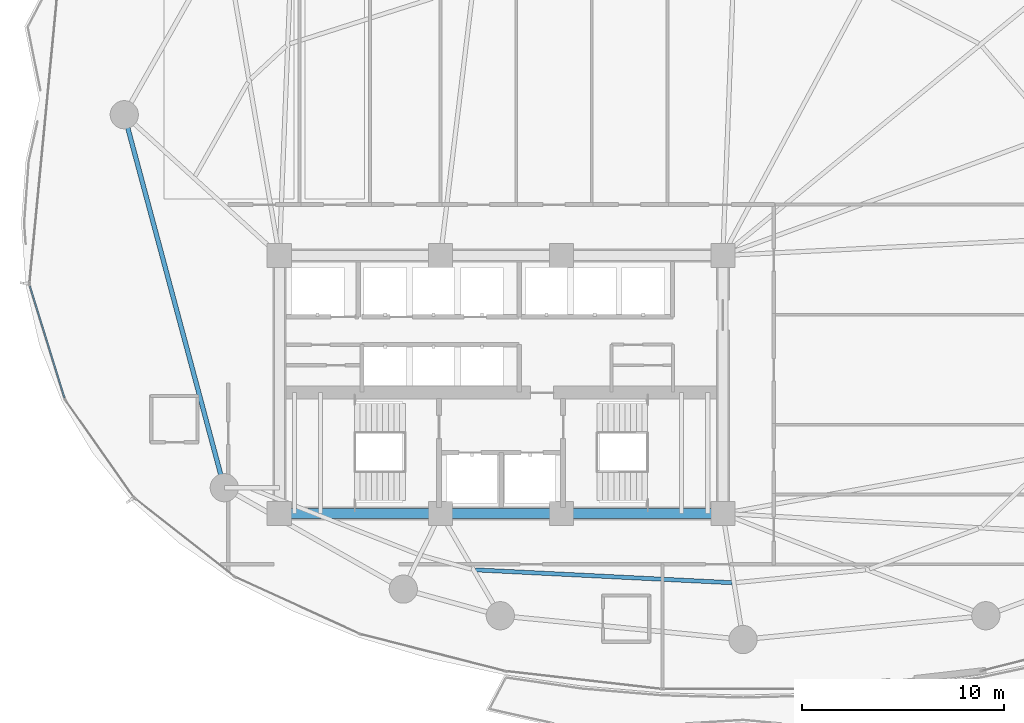
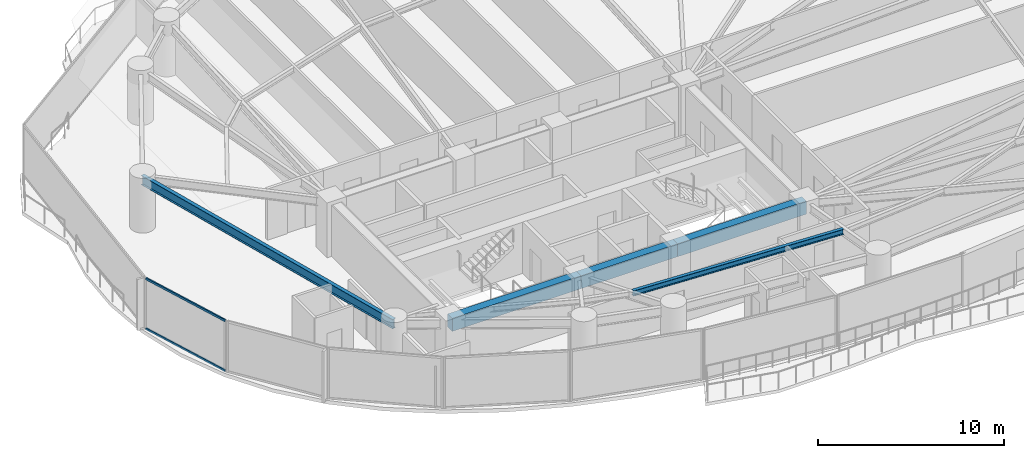
# One storey, part 7 of 31: 5 beams, 2 members, 1 element without a shape of its own.
"""IFC4 building model written with IfcOpenShell, lengths in metres."""

from ifc_helpers import new_model, si_unit, direction, frame, origin, origin_2d, place, context, subcontext, project, spatial, rectangle, hollow_rectangle, i_section, extrude, material, layer, layer_set, material_profile, profile_set, type_object, element, aggregate, save


model = new_model("IFC4")

# Units and contexts
model_context = context("Model", 3, precision=1e-05, world=origin(), true_north=direction((0.0, 1.0)))
body_context = subcontext(model_context, "Body", "Model", "MODEL_VIEW")
ifc_project = project(units=[si_unit("LENGTHUNIT", "METRE"), si_unit("AREAUNIT", "SQUARE_METRE"), si_unit("VOLUMEUNIT", "CUBIC_METRE"), si_unit("PLANEANGLEUNIT", "RADIAN"), si_unit("MASSUNIT", "GRAM", prefix="KILO")], contexts=[model_context])

# Site, building, storey
site_placement = place(None, origin())
site = spatial("IfcSite", under=ifc_project, at=site_placement, CompositionType="ELEMENT")
building_placement = place(site_placement, origin())
building = spatial("IfcBuilding", under=site, at=building_placement, Name="Kazevale Care Tower and Concert Hall", CompositionType="ELEMENT")
storey_placement = place(building_placement, frame((0.0, 0.0, 63.60009765625)))
storey = spatial("IfcBuildingStorey", under=building, at=storey_placement, Name="L16", CompositionType="ELEMENT", Elevation=63.60009765625)

# Curtain wall, members
ifc_material_1 = material(Name="Aluminium 6063-T6 and Low-E Glass", Category="aluminium")
ifc_layer = layer(ifc_material_1, 0.179931640625)
ifc_layer_set = layer_set([ifc_layer], Name="Aluminium 6063-T6 and Low-E Glass")
curtain_wall_type = type_object("IfcCurtainWallType", Name="Waist & Upper Residential Curtain Wall CW-4", PredefinedType="NOTDEFINED", material=ifc_layer_set)
curtain_wall_placement = place(storey_placement, origin())
curtain_wall = element("IfcCurtainWall", 1, at=curtain_wall_placement, inside=storey, type_object=curtain_wall_type, Name="cw:L16:f12", PredefinedType="NOTDEFINED")
ifc_material_2 = material(Name="Aluminium 6063-T6", Category="aluminium")
ifc_material_profile_1 = material_profile(ifc_material_2, hollow_rectangle(XDim=0.080078125, YDim=0.139892578125, WallThickness=0.00390625, at=origin_2d()), Name="ALU80x140x4")
ifc_profile_set_1 = profile_set([ifc_material_profile_1], Name="Aluminium 6063-T6")
member_type = type_object("IfcMemberType", Name="CW-4 Transom ALU80x140x4", PredefinedType="USERDEFINED", material=ifc_profile_set_1)
member_1_placement = place(storey_placement, frame((11.347412109375, 29.33447265625, 0.039794921875), z_axis=(-0.296117563823, 0.955151500232, 0.0), x_axis=(-0.955151500232, -0.296117563823, 0.0)))
member_1 = element("IfcMember", 2, at=member_1_placement, type_object=member_type, Name="CW-4 transom 1.1", ObjectType="TRANSOM", PredefinedType="USERDEFINED", context=body_context, shape_type="SweptSolid", body=[
    extrude(hollow_rectangle(XDim=0.080078125, YDim=0.139892578125, WallThickness=0.00390625, at=origin_2d()), origin(), (0.0, 0.0, 1.0), 5.8076171875),
])
member_2_placement = place(storey_placement, frame((11.347412109375, 29.33447265625, 3.31982421875), z_axis=(-0.296117563823, 0.955151500232, 0.0), x_axis=(-0.955151500232, -0.296117563823, 0.0)))
member_2 = element("IfcMember", 3, at=member_2_placement, type_object=member_type, Name="CW-4 transom 1.2", ObjectType="TRANSOM", PredefinedType="USERDEFINED", context=body_context, shape_type="SweptSolid", body=[
    extrude(hollow_rectangle(XDim=0.080078125, YDim=0.139892578125, WallThickness=0.00390625, at=origin_2d()), origin(), (0.0, 0.0, 1.0), 5.8076171875),
])
aggregate(curtain_wall, [member_1, member_2])

# Beams
ifc_material_3 = material(Name="Concrete C60", Category="concrete")
ifc_material_profile_2 = material_profile(ifc_material_3, rectangle(XDim=0.5, YDim=0.85009765625, at=origin_2d()), Name="RC-B500x850")
ifc_profile_set_2 = profile_set([ifc_material_profile_2], Name="Concrete C60")
beam_type_1 = type_object("IfcBeamType", Name="Core Coupling Beam RC500x850", PredefinedType="LINTEL", material=ifc_profile_set_2)
beam_1_placement = place(storey_placement, frame((22.0, 23.60009765625, 2.934814453125), z_axis=(1.0, 0.0, 0.0), x_axis=(0.0, 1.0, 0.0)))
element("IfcBeam", 4, at=beam_1_placement, inside=storey, type_object=beam_type_1, Name="beam:L16:coretie:1", PredefinedType="LINTEL", context=body_context, shape_type="SweptSolid", body=[
    extrude(rectangle(XDim=0.5, YDim=0.85009765625, at=origin_2d()), origin(), (0.0, 0.0, 1.0), 8.0),
])
beam_2_placement = place(storey_placement, frame((30.0, 23.60009765625, 2.934814453125), z_axis=(1.0, 0.0, 0.0), x_axis=(0.0, 1.0, 0.0)))
element("IfcBeam", 5, at=beam_2_placement, inside=storey, type_object=beam_type_1, Name="beam:L16:coretie:2", PredefinedType="LINTEL", context=body_context, shape_type="SweptSolid", body=[
    extrude(rectangle(XDim=0.5, YDim=0.85009765625, at=origin_2d()), origin(), (0.0, 0.0, 1.0), 6.0),
])
beam_3_placement = place(storey_placement, frame((36.0, 23.60009765625, 2.934814453125), z_axis=(1.0, 0.0, 0.0), x_axis=(0.0, 1.0, 0.0)))
element("IfcBeam", 6, at=beam_3_placement, inside=storey, type_object=beam_type_1, Name="beam:L16:coretie:3", PredefinedType="LINTEL", context=body_context, shape_type="SweptSolid", body=[
    extrude(rectangle(XDim=0.5, YDim=0.85009765625, at=origin_2d()), origin(), (0.0, 0.0, 1.0), 8.0),
])
ifc_material_4 = material(Name="Steel ASTM A572 Gr 50", Category="steel")
ifc_material_profile_3 = material_profile(ifc_material_4, i_section(OverallWidth=0.22900390625, OverallDepth=0.612060546875, WebThickness=0.011962890625, FlangeThickness=0.01953125, at=origin_2d()), Name="W610x125")
ifc_profile_set_3 = profile_set([ifc_material_profile_3], Name="Steel ASTM A572 Gr 50")
beam_type_2 = type_object("IfcBeamType", Name="Ring Spandrel Beam W610x125", PredefinedType="SPANDREL", material=ifc_profile_set_3)
beam_4_placement = place(storey_placement, frame((14.31005859375, 43.3798828125, 3.053955078125), z_axis=(0.258960352031, -0.965887952133, 0.0), x_axis=(0.965887952133, 0.258960352031, 0.0)))
element("IfcBeam", 7, at=beam_4_placement, inside=storey, type_object=beam_type_2, Name="beam:L16:ring:09", PredefinedType="SPANDREL", context=body_context, shape_type="SweptSolid", body=[
    extrude(i_section(OverallWidth=0.22900390625, OverallDepth=0.612060546875, WebThickness=0.011962890625, FlangeThickness=0.01953125, at=origin_2d()), origin(), (0.0, 0.0, 1.0), 19.1533203125),
])
ifc_material_profile_4 = material_profile(ifc_material_4, i_section(OverallWidth=0.205078125, OverallDepth=0.35400390625, WebThickness=0.009521484375, FlangeThickness=0.016845703125, at=origin_2d()), Name="W360x79")
ifc_profile_set_4 = profile_set([ifc_material_profile_4], Name="Steel ASTM A572 Gr 50")
beam_type_3 = type_object("IfcBeamType", Name="Secondary Floor Joist W360x79", PredefinedType="JOIST", material=ifc_profile_set_4)
beam_5_placement = place(storey_placement, frame((31.73291015625, 20.805908203125, 3.182861328125), z_axis=(0.998743186005, -0.050120339262, 0.0), x_axis=(0.050120339262, 0.998743186005, 0.0)))
element("IfcBeam", 8, at=beam_5_placement, inside=storey, type_object=beam_type_3, Name="beam:L16:joist:12", PredefinedType="JOIST", context=body_context, shape_type="SweptSolid", body=[
    extrude(i_section(OverallWidth=0.205078125, OverallDepth=0.35400390625, WebThickness=0.009521484375, FlangeThickness=0.016845703125, at=origin_2d()), origin(), (0.0, 0.0, 1.0), 12.728271484375),
])

save(model, "model.ifc")
